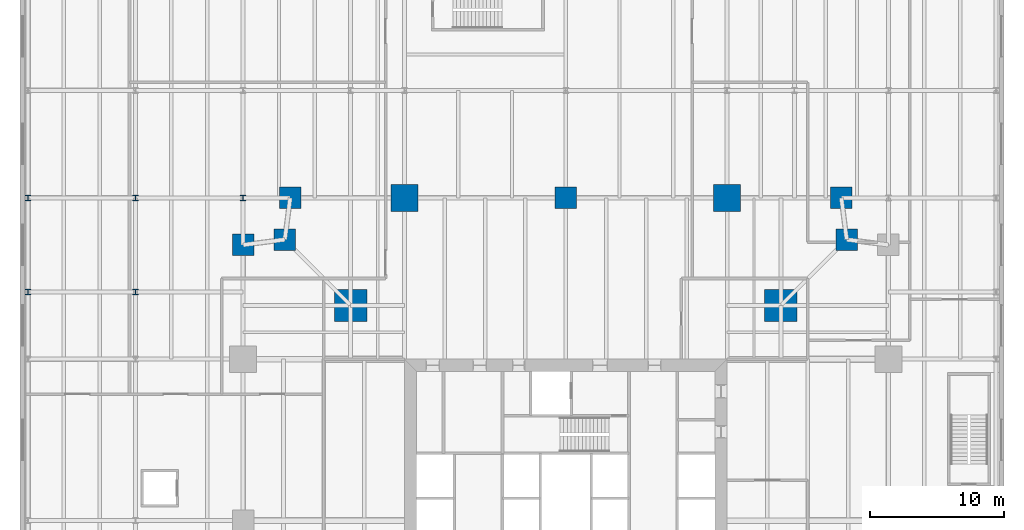
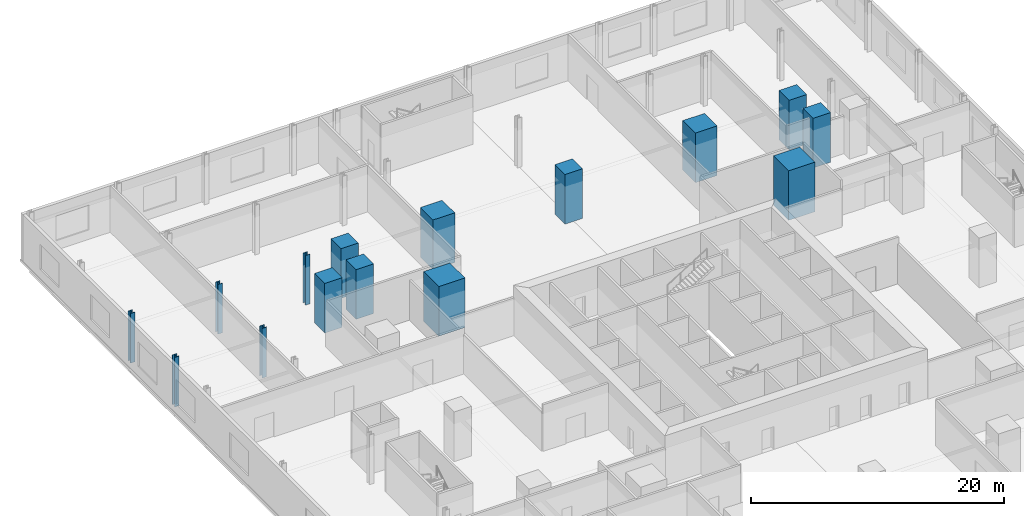
# One storey, part 2 of 16: 15 columns.
"""IFC4 building model written with IfcOpenShell, lengths in metres."""

from ifc_helpers import new_model, si_unit, direction, frame, origin, origin_2d, place, context, subcontext, project, spatial, rectangle, i_section, extrude, material, material_profile, profile_set, type_object, element, save


model = new_model("IFC4")

# Units and contexts
model_context = context("Model", 3, precision=1e-05, world=origin(), true_north=direction((0.0, 1.0)))
body_context = subcontext(model_context, "Body", "Model", "MODEL_VIEW")
ifc_project = project(units=[si_unit("LENGTHUNIT", "METRE"), si_unit("AREAUNIT", "SQUARE_METRE"), si_unit("VOLUMEUNIT", "CUBIC_METRE"), si_unit("PLANEANGLEUNIT", "RADIAN"), si_unit("MASSUNIT", "GRAM", prefix="KILO")], contexts=[model_context])

# Site, building, storey
site_placement = place(None, origin())
site = spatial("IfcSite", under=ifc_project, at=site_placement, CompositionType="ELEMENT")
building_placement = place(site_placement, origin())
building = spatial("IfcBuilding", under=site, at=building_placement, Name="Fenwick Lantern Interchange", CompositionType="ELEMENT")
storey_placement = place(building_placement, frame((0.0, 0.0, 16.60009765625)))
storey = spatial("IfcBuildingStorey", under=building, at=storey_placement, Name="L03", CompositionType="ELEMENT", Elevation=16.60009765625)

# Columns
ifc_material_1 = material(Name="Concrete f'c 70 MPa", Category="concrete")
ifc_material_profile_1 = material_profile(ifc_material_1, rectangle(XDim=2.39990234375, YDim=2.39990234375, at=origin_2d()), Name="RC2400X2400")
ifc_profile_set_1 = profile_set([ifc_material_profile_1], Name="Concrete f'c 70 MPa")
column_type_1 = type_object("IfcColumnType", Name="MEGA COLUMN RC2400X2400", PredefinedType="COLUMN", material=ifc_profile_set_1)
for number, where, z_axis, x_axis, name in (
    (1, (41.0, 41.0, 0.0), (0.0, 0.0, 1.0), (1.0, 0.0, 0.0), "L03/M3"),
    (2, (9.0, 41.0, 0.0), (0.0, 0.0, 1.0), (1.0, 0.0, 0.0), "L03/M4"),
):
    element("IfcColumn", number, at=place(storey_placement, frame(where, z_axis=z_axis, x_axis=x_axis)), inside=storey, type_object=column_type_1, Name=name, PredefinedType="COLUMN", context=body_context, shape_type="SweptSolid", body=[
        extrude(rectangle(XDim=2.39990234375, YDim=2.39990234375, at=origin_2d()), origin(), (0.0, 0.0, 1.0), 4.7998046875),
    ])
ifc_material_profile_2 = material_profile(ifc_material_1, rectangle(XDim=1.60009765625, YDim=1.60009765625, at=origin_2d()), Name="RC1600X1600")
ifc_profile_set_2 = profile_set([ifc_material_profile_2], Name="Concrete f'c 70 MPa")
column_type_2 = type_object("IfcColumnType", Name="PERIMETER COLUMN RC1600X1600", PredefinedType="COLUMN", material=ifc_profile_set_2)
for number, where, z_axis, x_axis, name in (
    (3, (45.89990234375, 45.89990234375, 0.0), (0.0, 0.0, 1.0), (1.0, 0.0, 0.0), "L03/CER"),
    (4, (45.5, 49.0, 0.0), (0.0, 0.0, 1.0), (1.0, 0.0, 0.0), "L03/CN1"),
    (5, (25.0, 49.0, 0.0), (0.0, 0.0, 1.0), (1.0, 0.0, 0.0), "L03/CN3"),
    (6, (4.5, 49.0, 0.0), (0.0, 0.0, 1.0), (1.0, 0.0, 0.0), "L03/CN5"),
    (7, (4.10009765625, 45.89990234375, 0.0), (0.0, 0.0, 1.0), (1.0, 0.0, 0.0), "L03/CNR"),
    (8, (1.0, 45.5, 0.0), (0.0, 0.0, 1.0), (1.0, 0.0, 0.0), "L03/CW1"),
):
    element("IfcColumn", number, at=place(storey_placement, frame(where, z_axis=z_axis, x_axis=x_axis)), inside=storey, type_object=column_type_2, Name=name, PredefinedType="COLUMN", context=body_context, shape_type="SweptSolid", body=[
        extrude(rectangle(XDim=1.60009765625, YDim=1.60009765625, at=origin_2d()), origin(), (0.0, 0.0, 1.0), 4.7998046875),
    ])
ifc_material_profile_3 = material_profile(ifc_material_1, rectangle(XDim=2.0, YDim=2.0, at=origin_2d()), Name="RC2000X2000")
ifc_profile_set_3 = profile_set([ifc_material_profile_3], Name="Concrete f'c 70 MPa")
column_type_3 = type_object("IfcColumnType", Name="PERIMETER COLUMN RC2000X2000", PredefinedType="COLUMN", material=ifc_profile_set_3)
for number, where, z_axis, x_axis, name in (
    (9, (37.0, 49.0, 0.0), (0.0, 0.0, 1.0), (1.0, 0.0, 0.0), "L03/CN2"),
    (10, (13.0, 49.0, 0.0), (0.0, 0.0, 1.0), (1.0, 0.0, 0.0), "L03/CN4"),
):
    element("IfcColumn", number, at=place(storey_placement, frame(where, z_axis=z_axis, x_axis=x_axis)), inside=storey, type_object=column_type_3, Name=name, PredefinedType="COLUMN", context=body_context, shape_type="SweptSolid", body=[
        extrude(rectangle(XDim=2.0, YDim=2.0, at=origin_2d()), origin(), (0.0, 0.0, 1.0), 4.7998046875),
    ])
ifc_material_2 = material(Name="Steel ASTM A992 Grade 50", Category="steel")
ifc_material_profile_4 = material_profile(ifc_material_2, i_section(OverallWidth=0.406494140625, OverallDepth=0.41650390625, WebThickness=0.030029296875, FlangeThickness=0.048095703125, at=origin_2d()), Name="W14X257")
ifc_profile_set_4 = profile_set([ifc_material_profile_4], Name="Steel ASTM A992 Grade 50")
column_type_4 = type_object("IfcColumnType", Name="PODIUM COLUMN W14X257", PredefinedType="COLUMN", material=ifc_profile_set_4)
for number, where, z_axis, x_axis, name in (
    (11, (-15.0, 42.0, 0.0), (0.0, 0.0, 1.0), (1.0, 0.0, 0.0), "L03/PH1"),
    (12, (-15.0, 49.0, 0.0), (0.0, 0.0, 1.0), (1.0, 0.0, 0.0), "L03/PJ1"),
    (13, (-7.0, 42.0, 0.0), (0.0, 0.0, 1.0), (1.0, 0.0, 0.0), "L03/PH2"),
    (14, (-7.0, 49.0, 0.0), (0.0, 0.0, 1.0), (1.0, 0.0, 0.0), "L03/PJ2"),
    (15, (1.0, 49.0, 0.0), (0.0, 0.0, 1.0), (1.0, 0.0, 0.0), "L03/PJ3"),
):
    element("IfcColumn", number, at=place(storey_placement, frame(where, z_axis=z_axis, x_axis=x_axis)), inside=storey, type_object=column_type_4, Name=name, PredefinedType="COLUMN", context=body_context, shape_type="SweptSolid", body=[
        extrude(i_section(OverallWidth=0.406494140625, OverallDepth=0.41650390625, WebThickness=0.030029296875, FlangeThickness=0.048095703125, at=origin_2d()), origin(), (0.0, 0.0, 1.0), 4.7998046875),
    ])

save(model, "model.ifc")
